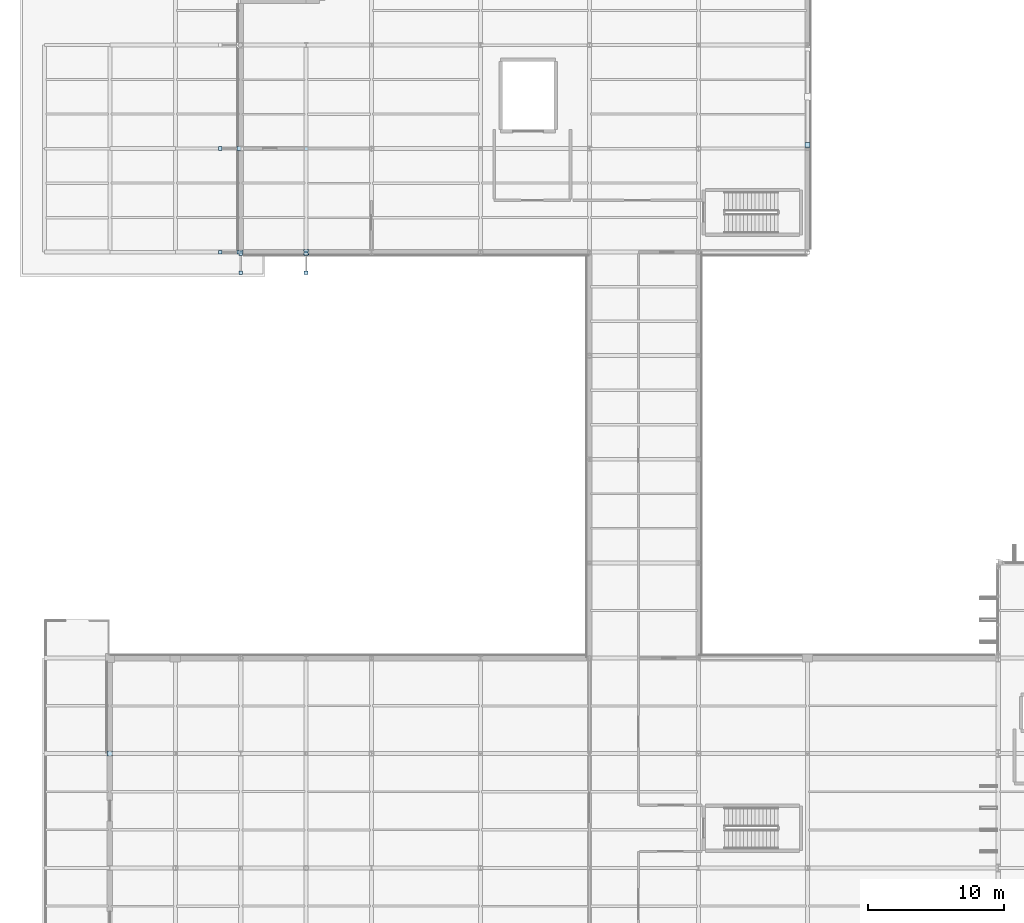
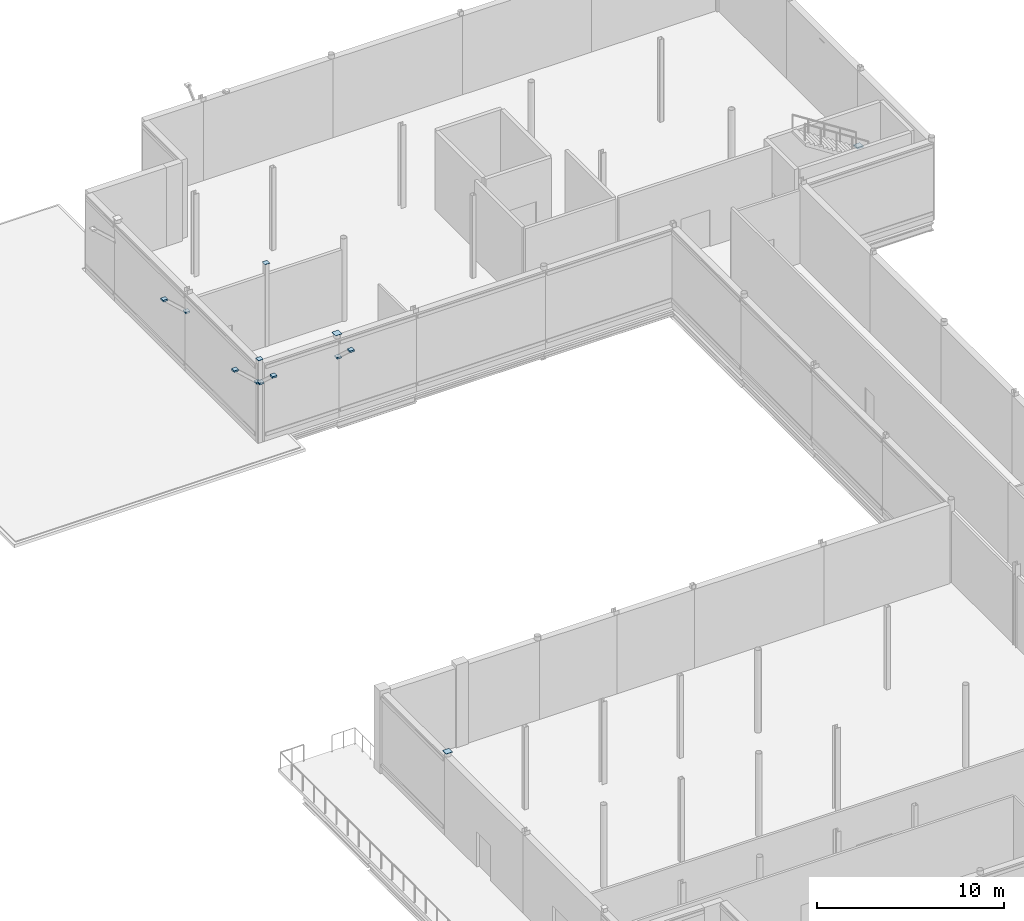
# One storey, part 109 of 147: 13 plates.
"""IFC4 building model written with IfcOpenShell, lengths in metres."""

from ifc_helpers import new_model, si_unit, direction, frame, origin, origin_2d, place, context, subcontext, project, spatial, rectangle, extrude, material, layer, layer_set, type_object, element, save


model = new_model("IFC4")

# Units and contexts
model_context = context("Model", 3, precision=1e-05, world=origin(), true_north=direction((0.0, 1.0)))
body_context = subcontext(model_context, "Body", "Model", "MODEL_VIEW")
ifc_project = project(units=[si_unit("LENGTHUNIT", "METRE"), si_unit("AREAUNIT", "SQUARE_METRE"), si_unit("VOLUMEUNIT", "CUBIC_METRE"), si_unit("PLANEANGLEUNIT", "RADIAN"), si_unit("MASSUNIT", "GRAM", prefix="KILO")], contexts=[model_context])

# Site, building, storey
site_placement = place(None, origin())
site = spatial("IfcSite", under=ifc_project, at=site_placement, CompositionType="ELEMENT")
building_placement = place(site_placement, origin())
building = spatial("IfcBuilding", under=site, at=building_placement, Name="Vekula Escarpment Museum", CompositionType="ELEMENT")
storey_placement = place(building_placement, frame((0.0, 0.0, 7.800048828125)))
storey = spatial("IfcBuildingStorey", under=building, at=storey_placement, Name="L02", CompositionType="ELEMENT", Elevation=7.800048828125)

# Plates
ifc_material_1 = material(Name="Steel S355", Category="steel")
ifc_layer_1 = layer(ifc_material_1, 0.01611328125)
ifc_layer_set_1 = layer_set([ifc_layer_1], Name="Steel S355")
plate_type_1 = type_object("IfcPlateType", Name="PL-CAP-16", PredefinedType="SHEET", material=ifc_layer_set_1)
for number, where, z_axis, x_axis, name in (
    (1, (14.285400390625, 113.199951171875, 3.89404296875), (0.0, 0.0, 1.0), (1.0, 0.0, 0.0), "Hollow section end cap CP-16"),
    (2, (12.894775390625, 113.199951171875, 5.163818359375), (0.0, 0.0, 1.0), (1.0, 0.0, 0.0), "Hollow section end cap CP-16"),
    (3, (14.39990234375, 113.085205078125, 3.89404296875), (0.0, 0.0, 1.0), (1.0, 0.0, 0.0), "Hollow section end cap CP-16"),
    (4, (14.39990234375, 111.694580078125, 5.163818359375), (0.0, 0.0, 1.0), (1.0, 0.0, 0.0), "Hollow section end cap CP-16"),
    (5, (14.285400390625, 120.800048828125, 3.89404296875), (0.0, 0.0, 1.0), (1.0, 0.0, 0.0), "Hollow section end cap CP-16"),
    (6, (12.894775390625, 120.800048828125, 5.163818359375), (0.0, 0.0, 1.0), (1.0, 0.0, 0.0), "Hollow section end cap CP-16"),
    (7, (19.199951171875, 113.085205078125, 3.89404296875), (0.0, 0.0, 1.0), (1.0, 0.0, 0.0), "Hollow section end cap CP-16"),
    (8, (19.199951171875, 111.694580078125, 5.163818359375), (0.0, 0.0, 1.0), (1.0, 0.0, 0.0), "Hollow section end cap CP-16"),
):
    element("IfcPlate", number, at=place(storey_placement, frame(where, z_axis=z_axis, x_axis=x_axis)), inside=storey, type_object=plate_type_1, Name=name, PredefinedType="SHEET", context=body_context, shape_type="SweptSolid", body=[
        extrude(rectangle(XDim=0.280029296875, YDim=0.280029296875, at=origin_2d()), origin(), (0.0, 0.0, 1.0), 0.10205078125),
    ])
ifc_material_2 = material(Name="Steel S355", Category="steel")
ifc_layer_2 = layer(ifc_material_2, 0.02001953125)
ifc_layer_set_2 = layer_set([ifc_layer_2], Name="Steel S355")
plate_type_2 = type_object("IfcPlateType", Name="PL-CAP-20", PredefinedType="SHEET", material=ifc_layer_set_2)
plate_1_placement = place(storey_placement, frame((4.800048828125, 76.39990234375, 5.39794921875), z_axis=(0.0, 0.0, 1.0), x_axis=(1.0, 0.0, 0.0)))
element("IfcPlate", 9, at=plate_1_placement, inside=storey, type_object=plate_type_2, Name="Hollow section end cap CP-20", PredefinedType="SHEET", context=body_context, shape_type="SweptSolid", body=[
    extrude(rectangle(XDim=0.3955078125, YDim=0.3955078125, at=origin_2d()), origin(), (0.0, 0.0, 1.0), 0.02001953125),
])
plate_2_placement = place(storey_placement, frame((14.39990234375, 113.199951171875, 5.39794921875), z_axis=(0.0, 0.0, 1.0), x_axis=(1.0, 0.0, 0.0)))
element("IfcPlate", 10, at=plate_2_placement, inside=storey, type_object=plate_type_2, Name="Hollow section end cap CP-20", PredefinedType="SHEET", context=body_context, shape_type="SweptSolid", body=[
    extrude(rectangle(XDim=0.300048828125, YDim=0.300048828125, at=origin_2d()), origin(), (0.0, 0.0, 1.0), 0.02001953125),
])
plate_3_placement = place(storey_placement, frame((19.199951171875, 113.199951171875, 5.39794921875), z_axis=(0.0, 0.0, 1.0), x_axis=(1.0, 0.0, 0.0)))
element("IfcPlate", 11, at=plate_3_placement, inside=storey, type_object=plate_type_2, Name="Hollow section end cap CP-20", PredefinedType="SHEET", context=body_context, shape_type="SweptSolid", body=[
    extrude(rectangle(XDim=0.3955078125, YDim=0.3955078125, at=origin_2d()), origin(), (0.0, 0.0, 1.0), 0.02001953125),
])
plate_4_placement = place(storey_placement, frame((19.199951171875, 120.800048828125, 5.39794921875), z_axis=(0.0, 0.0, 1.0), x_axis=(1.0, 0.0, 0.0)))
element("IfcPlate", 12, at=plate_4_placement, inside=storey, type_object=plate_type_2, Name="Hollow section end cap CP-20", PredefinedType="SHEET", context=body_context, shape_type="SweptSolid", body=[
    extrude(rectangle(XDim=0.300048828125, YDim=0.300048828125, at=origin_2d()), origin(), (0.0, 0.0, 1.0), 0.02001953125),
])
ifc_material_3 = material(Name="Steel S355", Category="steel")
ifc_layer_3 = layer(ifc_material_3, 0.02392578125)
ifc_layer_set_3 = layer_set([ifc_layer_3], Name="Steel S355")
plate_type_3 = type_object("IfcPlateType", Name="PL-CAP-24", PredefinedType="SHEET", material=ifc_layer_set_3)
plate_5_placement = place(storey_placement, frame((56.0, 121.04345703125, -0.035888671875), z_axis=(0.0, 0.0, 1.0), x_axis=(1.0, 0.0, 0.0)))
element("IfcPlate", 13, at=plate_5_placement, inside=storey, type_object=plate_type_3, Name="Hollow section end cap CP-24", PredefinedType="SHEET", context=body_context, shape_type="SweptSolid", body=[
    extrude(rectangle(XDim=0.3798828125, YDim=0.3798828125, at=origin_2d()), origin(), (0.0, 0.0, 1.0), 0.09423828125),
])

save(model, "model.ifc")
